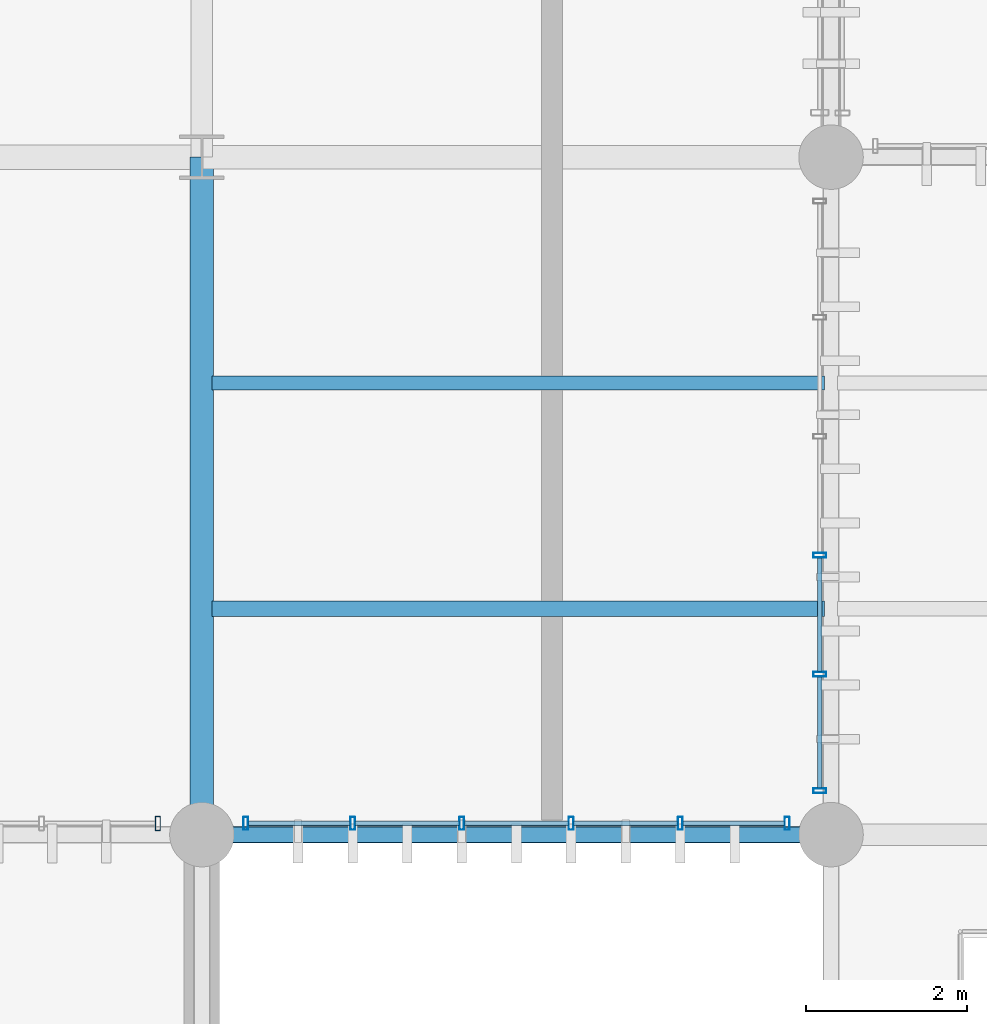
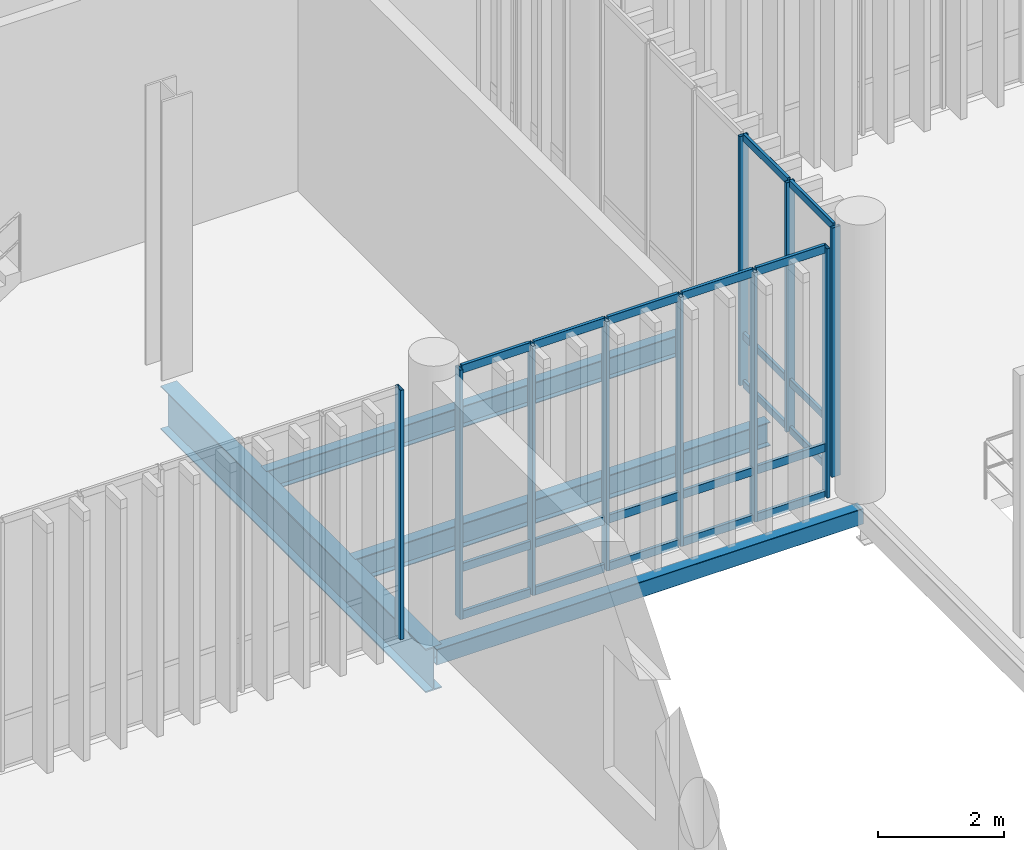
# One storey, part 22 of 128: 31 members, 4 beams, 3 elements without a shape of their own.
"""IFC4 building model written with IfcOpenShell, lengths in metres."""

import ifcopenshell
import ifcopenshell.guid

model = None  # the IFC model being written
_history = None  # IfcOwnerHistory: only IFC2X3 demands one
_inside = {}  # id of a spatial element -> (the spatial element, [elements in it])
_under = {}  # id of a project, library or spatial element -> (it, [spatial elements below it])
_declared = {}  # id of a project -> (the project, [libraries it declares])
_typed = {}  # id of a type object -> (the type object, [elements of that type])
_made_of = {}  # id of a material, layer set ... -> (it, [elements and type objects made of it])


def new_model(schema):
    """Start an empty IFC model of exactly this schema.

    Asked for "IFC4X3", IfcOpenShell would pick the latest addendum, in which some entities
    have other attributes; the version numbers below select the first issue.
    IFC2X3 requires an IfcOwnerHistory on every rooted entity: one is made here for all.
    """
    global model, _history
    if schema == "IFC4X3":
        model = ifcopenshell.file(schema_version=(4, 3, 0, 0))
    else:
        model = ifcopenshell.file(schema=schema)
    _inside.clear()
    _under.clear()
    _declared.clear()
    _typed.clear()
    _made_of.clear()
    _history = None
    if model.schema == "IFC2X3":
        org = make("IfcOrganization", Name="unknown")
        user = make(
            "IfcPersonAndOrganization",
            ThePerson=make("IfcPerson", FamilyName="unknown"),
            TheOrganization=org,
        )
        app = make(
            "IfcApplication",
            ApplicationDeveloper=org,
            Version="unknown",
            ApplicationFullName="unknown",
            ApplicationIdentifier="unknown",
        )
        _history = make(
            "IfcOwnerHistory",
            OwningUser=user,
            OwningApplication=app,
            ChangeAction="ADDED",
            CreationDate=0,
        )
    return model


def make(cls, **values):
    """One entity of the class cls with the attributes given. An attribute that is None is left unset."""
    return model.create_entity(
        cls, **{name: value for name, value in values.items() if value is not None}
    )


def rooted(cls, **values):
    """An entity with a GlobalId (a new one), such as an element, a storey or a relation."""
    return make(cls, GlobalId=ifcopenshell.guid.new(), OwnerHistory=_history, **values)


def si_unit(unit_type, name, prefix=None):
    """IfcSIUnit, for example si_unit("LENGTHUNIT", "METRE", prefix="MILLI")."""
    return make("IfcSIUnit", UnitType=unit_type, Prefix=prefix, Name=name)


def assignment(units):
    """IfcUnitAssignment: the units of a project."""
    return None if units is None else make("IfcUnitAssignment", Units=units)


def point(xyz):
    """IfcCartesianPoint."""
    return None if xyz is None else make("IfcCartesianPoint", Coordinates=xyz)


def direction(xyz):
    """IfcDirection."""
    return None if xyz is None else make("IfcDirection", DirectionRatios=xyz)


def frame(location, z_axis=None, x_axis=None):
    """IfcAxis2Placement3D, a coordinate frame: its origin and axes. An axis left out is left unset."""
    return make(
        "IfcAxis2Placement3D",
        Location=point(location),
        Axis=direction(z_axis),
        RefDirection=direction(x_axis),
    )


def frame_2d(location, x_axis=None):
    """IfcAxis2Placement2D, a coordinate frame in the plane: its origin and x axis."""
    return make(
        "IfcAxis2Placement2D", Location=point(location), RefDirection=direction(x_axis)
    )


def origin_with_axes():
    """The frame at (0, 0, 0) with the z axis (0, 0, 1) and the x axis (1, 0, 0) written out."""
    return frame((0.0, 0.0, 0.0), z_axis=(0.0, 0.0, 1.0), x_axis=(1.0, 0.0, 0.0))


def origin_2d_with_axis():
    """The frame at (0, 0) in the plane with the x axis (1, 0) written out."""
    return frame_2d((0.0, 0.0), x_axis=(1.0, 0.0))


def place(relative_to, where):
    """IfcLocalPlacement: puts the frame where relative to a parent placement (None: the world)."""
    return make(
        "IfcLocalPlacement", PlacementRelTo=relative_to, RelativePlacement=where
    )


def context(
    kind, dimensions, precision=None, world=None, true_north=None, identifier=None
):
    """IfcGeometricRepresentationContext, for example the 3D "Model" context."""
    return make(
        "IfcGeometricRepresentationContext",
        ContextIdentifier=identifier,
        ContextType=kind,
        CoordinateSpaceDimension=dimensions,
        Precision=precision,
        WorldCoordinateSystem=world,
        TrueNorth=true_north,
    )


def subcontext(parent, identifier, kind, view, scale=None):
    """IfcGeometricRepresentationSubContext, for example "Body" below "Model"."""
    return make(
        "IfcGeometricRepresentationSubContext",
        ContextIdentifier=identifier,
        ContextType=kind,
        ParentContext=parent,
        TargetScale=scale,
        TargetView=view,
    )


def project(units=None, contexts=None):
    """IfcProject with its units and contexts."""
    return rooted(
        "IfcProject",
        Name="project",
        RepresentationContexts=contexts,
        UnitsInContext=assignment(units),
    )


def spatial(cls, under=None, at=None, **own):
    """A site, building, storey or space (cls), placed at a placement, below another one or the project."""
    s = rooted(cls, ObjectPlacement=at, **own)
    if under is not None:
        _under.setdefault(under.id(), (under, []))[1].append(s)
    return s


def profile(cls, at=None, kind="AREA", **sizes):
    """A parametric profile (cls). Its sizes go by their IFC names, for example OverallWidth=200.0."""
    return make(cls, ProfileType=kind, Position=at, **sizes)


def hollow_rectangle(**sizes):
    """IfcRectangleHollowProfileDef."""
    return profile("IfcRectangleHollowProfileDef", **sizes)


def i_section(**sizes):
    """IfcIShapeProfileDef."""
    return profile("IfcIShapeProfileDef", **sizes)


def extrude(swept, where, along, depth):
    """IfcExtrudedAreaSolid: the profile swept, set in the frame where, extruded along a direction by depth."""
    return make(
        "IfcExtrudedAreaSolid",
        SweptArea=swept,
        Position=where,
        ExtrudedDirection=direction(along),
        Depth=depth,
    )


def shape(context_of_items, identifier, shape_type, items):
    """IfcShapeRepresentation: the items that make up one representation, for example the "Body"."""
    return make(
        "IfcShapeRepresentation",
        ContextOfItems=context_of_items,
        RepresentationIdentifier=identifier,
        RepresentationType=shape_type,
        Items=items,
    )


def material(Name=None, Category=None):
    """IfcMaterial."""
    return make("IfcMaterial", Name=Name, Category=Category)


def material_profile(
    of_material, cross_section, Name=None, Category=None, Priority=None
):
    """IfcMaterialProfile: a cross section and its material."""
    return make(
        "IfcMaterialProfile",
        Name=Name,
        Material=of_material,
        Profile=cross_section,
        Priority=Priority,
        Category=Category,
    )


def profile_set(profiles, Name=None, composite=None):
    """IfcMaterialProfileSet."""
    return make(
        "IfcMaterialProfileSet",
        Name=Name,
        MaterialProfiles=profiles,
        CompositeProfile=composite,
    )


def made_of(thing, what):
    """Note that an element or type object is made of a material, layer set ...; save() writes the relation."""
    if what is not None:
        _made_of.setdefault(what.id(), (what, []))[1].append(thing)
    return thing


def type_object(cls, material=None, **own):
    """A type object (cls), such as IfcWallType, which elements share."""
    return made_of(rooted(cls, **own), material)


def element(
    cls,
    number,
    at=None,
    inside=None,
    cuts=None,
    type_object=None,
    material=None,
    context=None,
    identifier="Body",
    shape_type=None,
    held_by="IfcProductDefinitionShape",
    body=None,
    shapes=None,
    **own,
):
    """One element of the class cls, such as IfcWall. Its Tag is "e" and its number.

    at: its placement. inside: the storey or other place that contains it. cuts: it is an
    opening in that element (IfcRelVoidsElement). A single representation is given by context,
    identifier, shape_type and body (its items); several are given by shapes. held_by: the class
    of the entity that holds the representations. save() writes the other relations.
    """
    e = rooted(cls, Tag="e%d" % number, ObjectPlacement=at, **own)
    if body is not None:
        shapes = [shape(context, identifier, shape_type, body)]
    if shapes is not None:
        e.Representation = make(held_by, Representations=shapes)
    if inside is not None:
        _inside.setdefault(inside.id(), (inside, []))[1].append(e)
    if cuts is not None:
        rooted(
            "IfcRelVoidsElement", RelatingBuildingElement=cuts, RelatedOpeningElement=e
        )
    if type_object is not None:
        _typed.setdefault(type_object.id(), (type_object, []))[1].append(e)
    return made_of(e, material)


def aggregate(whole, parts):
    """IfcRelAggregates: a whole, such as a stair, and the parts it consists of."""
    return rooted("IfcRelAggregates", RelatingObject=whole, RelatedObjects=parts)


def save(model, path):
    """Write the relations noted so far, then the file.

    IfcRelAggregates (storeys below a building ...), IfcRelContainedInSpatialStructure (elements
    in a storey), IfcRelDefinesByType, IfcRelAssociatesMaterial and IfcRelDeclares: one each for
    every whole, place, type object, material and project.
    """
    for whole, parts in _under.values():
        aggregate(whole, parts)
    for where, things in _inside.values():
        rooted(
            "IfcRelContainedInSpatialStructure",
            RelatedElements=things,
            RelatingStructure=where,
        )
    for kind, things in _typed.values():
        rooted("IfcRelDefinesByType", RelatedObjects=things, RelatingType=kind)
    for what, things in _made_of.values():
        rooted("IfcRelAssociatesMaterial", RelatedObjects=things, RelatingMaterial=what)
    for by, libraries in _declared.values():
        rooted("IfcRelDeclares", RelatingContext=by, RelatedDefinitions=libraries)
    model.write(path)


model = new_model("IFC4")

# Units and contexts
model_context = context("Model", 3, precision=1e-05, world=origin_with_axes(), true_north=direction((0.0, 1.0)))
body_context = subcontext(model_context, "Body", "Model", "MODEL_VIEW")
ifc_project = project(units=[si_unit("LENGTHUNIT", "METRE"), si_unit("AREAUNIT", "SQUARE_METRE"), si_unit("VOLUMEUNIT", "CUBIC_METRE"), si_unit("PLANEANGLEUNIT", "RADIAN"), si_unit("MASSUNIT", "GRAM", prefix="KILO"), si_unit("THERMODYNAMICTEMPERATUREUNIT", "KELVIN")], contexts=[model_context])

# Site, building, storey
site_placement = place(None, origin_with_axes())
site = spatial("IfcSite", under=ifc_project, at=site_placement, CompositionType="ELEMENT")
building_placement = place(site_placement, origin_with_axes())
building = spatial("IfcBuilding", under=site, at=building_placement, Name="Montbau Bow Law Courts", CompositionType="ELEMENT")
storey_placement = place(building_placement, frame((0.0, 0.0, 5.4), z_axis=(0.0, 0.0, 1.0), x_axis=(1.0, 0.0, 0.0)))
storey = spatial("IfcBuildingStorey", under=building, at=storey_placement, Name="L01", CompositionType="ELEMENT", Elevation=5.4)

# Beams
ifc_material_1 = material(Name="Steel CSA G40.21 Grade 350W (350 MPa)", Category="steel")
ifc_material_profile_1 = material_profile(ifc_material_1, i_section(OverallWidth=0.293, OverallDepth=0.846, WebThickness=0.0154, FlangeThickness=0.0244, at=origin_2d_with_axis()), Name="W840X210", Category="Main", Priority=0)
ifc_profile_set_1 = profile_set([ifc_material_profile_1], Name="Steel CSA G40.21 Grade 350W (350 MPa)")
beam_type_1 = type_object("IfcBeamType", Name="B-FLR-02", PredefinedType="BEAM", material=ifc_profile_set_1)
beam_1_placement = place(None, frame((39.0, 30.6, 4.677), z_axis=(0.0, 1.0, 0.0), x_axis=(-1.0, 0.0, 0.0)))
element("IfcBeam", 1, at=beam_1_placement, inside=storey, type_object=beam_type_1, Name="BM-L01-S0544:bm2_0547", PredefinedType="BEAM", context=body_context, shape_type="SweptSolid", body=[
    extrude(i_section(OverallWidth=0.293, OverallDepth=0.846, WebThickness=0.0154, FlangeThickness=0.0244, at=origin_2d_with_axis()), origin_with_axes(), (0.0, 0.0, 1.0), 8.4),
])
ifc_material_profile_2 = material_profile(ifc_material_1, i_section(OverallWidth=0.191, OverallDepth=0.46, WebThickness=0.0099, FlangeThickness=0.016, at=origin_2d_with_axis()), Name="W460X82", Category="Main", Priority=0)
ifc_profile_set_2 = profile_set([ifc_material_profile_2], Name="Steel CSA G40.21 Grade 350W (350 MPa)")
beam_type_2 = type_object("IfcBeamType", Name="B-JST-01", PredefinedType="JOIST", material=ifc_profile_set_2)
beam_2_placement = place(None, frame((39.123, 33.4, 4.87), z_axis=(1.0, 0.0, 0.0), x_axis=(0.0, 1.0, 0.0)))
element("IfcBeam", 2, at=beam_2_placement, inside=storey, type_object=beam_type_2, Name="JST-L01-S0260:jst2_0260", PredefinedType="JOIST", context=body_context, shape_type="SweptSolid", body=[
    extrude(i_section(OverallWidth=0.191, OverallDepth=0.46, WebThickness=0.0099, FlangeThickness=0.016, at=origin_2d_with_axis()), origin_with_axes(), (0.0, 0.0, 1.0), 7.597),
])
ifc_material_profile_3 = material_profile(ifc_material_1, i_section(OverallWidth=0.179, OverallDepth=0.41, WebThickness=0.0088, FlangeThickness=0.0144, at=origin_2d_with_axis()), Name="W410X67", Category="Main", Priority=0)
ifc_profile_set_3 = profile_set([ifc_material_profile_3], Name="Steel CSA G40.21 Grade 350W (350 MPa)")
beam_type_3 = type_object("IfcBeamType", Name="B-JST-02", PredefinedType="JOIST", material=ifc_profile_set_3)
beam_3_placement = place(None, frame((39.123, 36.2, 4.895), z_axis=(1.0, 0.0, 0.0), x_axis=(0.0, 1.0, 0.0)))
element("IfcBeam", 3, at=beam_3_placement, inside=storey, type_object=beam_type_3, Name="JST-L01-S0261:jst2_0261", PredefinedType="JOIST", context=body_context, shape_type="SweptSolid", body=[
    extrude(i_section(OverallWidth=0.179, OverallDepth=0.41, WebThickness=0.0088, FlangeThickness=0.0144, at=origin_2d_with_axis()), origin_with_axes(), (0.0, 0.0, 1.0), 7.597),
])
ifc_material_2 = material(Name="Steel CSA G40.21 Grade 350WT (350 MPa)", Category="steel")
ifc_material_profile_4 = material_profile(ifc_material_2, hollow_rectangle(XDim=0.203, YDim=0.305, WallThickness=0.0127, InnerFilletRadius=0.0254, OuterFilletRadius=0.0127, at=origin_2d_with_axis()), Name="HSS305X203X13", Category="Main", Priority=0)
ifc_profile_set_4 = profile_set([ifc_material_profile_4], Name="Steel CSA G40.21 Grade 350WT (350 MPa)")
beam_type_4 = type_object("IfcBeamType", Name="B-SPN-02", PredefinedType="SPANDREL", material=ifc_profile_set_4)
beam_4_placement = place(None, frame((39.0, 30.6, 4.947), z_axis=(1.0, 0.0, 0.0), x_axis=(0.0, 1.0, 0.0)))
element("IfcBeam", 4, at=beam_4_placement, inside=storey, type_object=beam_type_4, Name="SPN-L01-S0518:bm2_0521", PredefinedType="SPANDREL", context=body_context, shape_type="SweptSolid", body=[
    extrude(hollow_rectangle(XDim=0.203, YDim=0.305, WallThickness=0.0127, InnerFilletRadius=0.0254, OuterFilletRadius=0.0127, at=origin_2d_with_axis()), origin_with_axes(), (0.0, 0.0, 1.0), 7.8),
])

# Curtain wall, member
ifc_material_3 = material(Name="Thermally Broken Extruded Aluminium AA 6063-T6", Category="aluminium")
curtain_wall_type = type_object("IfcCurtainWallType", Name="CW-TRC-01", PredefinedType="NOTDEFINED", material=ifc_material_3)
curtain_wall_1_placement = place(None, frame((31.115, 30.74, 5.4), z_axis=(0.0, 0.0, 1.0), x_axis=(1.0, 0.0, 0.0)))
curtain_wall_1 = element("IfcCurtainWall", 5, at=curtain_wall_1_placement, inside=storey, type_object=curtain_wall_type, Name="CW-L01-019:cw_0019", PredefinedType="NOTDEFINED")
ifc_material_profile_5 = material_profile(ifc_material_3, hollow_rectangle(XDim=0.065, YDim=0.18, WallThickness=0.005, InnerFilletRadius=0.01, OuterFilletRadius=0.005, at=origin_2d_with_axis()), Name="CWM-180X65", Category="Main", Priority=0)
ifc_profile_set_5 = profile_set([ifc_material_profile_5], Name="Thermally Broken Extruded Aluminium AA 6063-T6")
member_type_1 = type_object("IfcMemberType", Name="M-MUL-02", PredefinedType="MULLION", material=ifc_profile_set_5)
member_1_placement = place(None, frame((38.453, 30.74, 5.4), z_axis=(0.0, 0.0, 1.0), x_axis=(1.0, 0.0, 0.0)))
member_1 = element("IfcMember", 6, at=member_1_placement, type_object=member_type_1, Name="CW-L01-019-M06:cw_0019_M06", PredefinedType="MULLION", context=body_context, shape_type="SweptSolid", body=[
    extrude(hollow_rectangle(XDim=0.065, YDim=0.18, WallThickness=0.005, InnerFilletRadius=0.01, OuterFilletRadius=0.005, at=origin_2d_with_axis()), origin_with_axes(), (0.0, 0.0, 1.0), 4.82),
])
aggregate(curtain_wall_1, [member_1])

# Curtain wall, members
curtain_wall_2_placement = place(None, frame((39.515, 30.74, 5.4), z_axis=(0.0, 0.0, 1.0), x_axis=(1.0, 0.0, 0.0)))
curtain_wall_2 = element("IfcCurtainWall", 7, at=curtain_wall_2_placement, inside=storey, type_object=curtain_wall_type, Name="CW-L01-020:cw_0020", PredefinedType="NOTDEFINED")
ifc_material_profile_6 = material_profile(ifc_material_3, hollow_rectangle(XDim=0.06, YDim=0.16, WallThickness=0.004, InnerFilletRadius=0.008, OuterFilletRadius=0.004, at=origin_2d_with_axis()), Name="CWM-160X60", Category="Main", Priority=0)
ifc_profile_set_6 = profile_set([ifc_material_profile_6], Name="Thermally Broken Extruded Aluminium AA 6063-T6")
member_type_2 = type_object("IfcMemberType", Name="M-MUL-03", PredefinedType="MULLION", material=ifc_profile_set_6)
member_2_placement = place(None, frame((39.545, 30.74, 5.4), z_axis=(0.0, 0.0, 1.0), x_axis=(1.0, 0.0, 0.0)))
member_2 = element("IfcMember", 8, at=member_2_placement, type_object=member_type_2, Name="CW-L01-020-M01:cw_0020_M01", PredefinedType="MULLION", context=body_context, shape_type="SweptSolid", body=[
    extrude(hollow_rectangle(XDim=0.06, YDim=0.16, WallThickness=0.004, InnerFilletRadius=0.008, OuterFilletRadius=0.004, at=origin_2d_with_axis()), origin_with_axes(), (0.0, 0.0, 1.0), 4.82),
])
member_3_placement = place(None, frame((40.869, 30.74, 5.4), z_axis=(0.0, 0.0, 1.0), x_axis=(1.0, 0.0, 0.0)))
member_3 = element("IfcMember", 9, at=member_3_placement, type_object=member_type_2, Name="CW-L01-020-M02:cw_0020_M02", PredefinedType="MULLION", context=body_context, shape_type="SweptSolid", body=[
    extrude(hollow_rectangle(XDim=0.06, YDim=0.16, WallThickness=0.004, InnerFilletRadius=0.008, OuterFilletRadius=0.004, at=origin_2d_with_axis()), origin_with_axes(), (0.0, 0.0, 1.0), 4.82),
])
member_4_placement = place(None, frame((42.223, 30.74, 5.4), z_axis=(0.0, 0.0, 1.0), x_axis=(1.0, 0.0, 0.0)))
member_4 = element("IfcMember", 10, at=member_4_placement, type_object=member_type_2, Name="CW-L01-020-M03:cw_0020_M03", PredefinedType="MULLION", context=body_context, shape_type="SweptSolid", body=[
    extrude(hollow_rectangle(XDim=0.06, YDim=0.16, WallThickness=0.004, InnerFilletRadius=0.008, OuterFilletRadius=0.004, at=origin_2d_with_axis()), origin_with_axes(), (0.0, 0.0, 1.0), 4.82),
])
member_5_placement = place(None, frame((43.577, 30.74, 5.4), z_axis=(0.0, 0.0, 1.0), x_axis=(1.0, 0.0, 0.0)))
member_5 = element("IfcMember", 11, at=member_5_placement, type_object=member_type_2, Name="CW-L01-020-M04:cw_0020_M04", PredefinedType="MULLION", context=body_context, shape_type="SweptSolid", body=[
    extrude(hollow_rectangle(XDim=0.06, YDim=0.16, WallThickness=0.004, InnerFilletRadius=0.008, OuterFilletRadius=0.004, at=origin_2d_with_axis()), origin_with_axes(), (0.0, 0.0, 1.0), 4.82),
])
member_6_placement = place(None, frame((44.931, 30.74, 5.4), z_axis=(0.0, 0.0, 1.0), x_axis=(1.0, 0.0, 0.0)))
member_6 = element("IfcMember", 12, at=member_6_placement, type_object=member_type_2, Name="CW-L01-020-M05:cw_0020_M05", PredefinedType="MULLION", context=body_context, shape_type="SweptSolid", body=[
    extrude(hollow_rectangle(XDim=0.06, YDim=0.16, WallThickness=0.004, InnerFilletRadius=0.008, OuterFilletRadius=0.004, at=origin_2d_with_axis()), origin_with_axes(), (0.0, 0.0, 1.0), 4.82),
])
member_7_placement = place(None, frame((46.255, 30.74, 5.4), z_axis=(0.0, 0.0, 1.0), x_axis=(1.0, 0.0, 0.0)))
member_7 = element("IfcMember", 13, at=member_7_placement, type_object=member_type_2, Name="CW-L01-020-M06:cw_0020_M06", PredefinedType="MULLION", context=body_context, shape_type="SweptSolid", body=[
    extrude(hollow_rectangle(XDim=0.06, YDim=0.16, WallThickness=0.004, InnerFilletRadius=0.008, OuterFilletRadius=0.004, at=origin_2d_with_axis()), origin_with_axes(), (0.0, 0.0, 1.0), 4.82),
])

curtain_wall_3_placement = place(None, frame((46.66, 31.115, 5.4), z_axis=(0.0, 0.0, 1.0), x_axis=(1.0, 0.0, 0.0)))
curtain_wall_3 = element("IfcCurtainWall", 14, at=curtain_wall_3_placement, inside=storey, type_object=curtain_wall_type, Name="CW-L01-029:cw_0029", PredefinedType="NOTDEFINED")
member_8_placement = place(None, frame((46.66, 31.145, 5.4), z_axis=(0.0, 0.0, 1.0), x_axis=(0.0, 1.0, 0.0)))
member_8 = element("IfcMember", 15, at=member_8_placement, type_object=member_type_2, Name="CW-L01-029-M01:cw_0029_M01", PredefinedType="MULLION", context=body_context, shape_type="SweptSolid", body=[
    extrude(hollow_rectangle(XDim=0.06, YDim=0.16, WallThickness=0.004, InnerFilletRadius=0.008, OuterFilletRadius=0.004, at=origin_2d_with_axis()), origin_with_axes(), (0.0, 0.0, 1.0), 4.82),
])
member_9_placement = place(None, frame((46.66, 32.589, 5.4), z_axis=(0.0, 0.0, 1.0), x_axis=(0.0, 1.0, 0.0)))
member_9 = element("IfcMember", 16, at=member_9_placement, type_object=member_type_2, Name="CW-L01-029-M02:cw_0029_M02", PredefinedType="MULLION", context=body_context, shape_type="SweptSolid", body=[
    extrude(hollow_rectangle(XDim=0.06, YDim=0.16, WallThickness=0.004, InnerFilletRadius=0.008, OuterFilletRadius=0.004, at=origin_2d_with_axis()), origin_with_axes(), (0.0, 0.0, 1.0), 4.82),
])
member_10_placement = place(None, frame((46.66, 34.063, 5.4), z_axis=(0.0, 0.0, 1.0), x_axis=(0.0, 1.0, 0.0)))
member_10 = element("IfcMember", 17, at=member_10_placement, type_object=member_type_2, Name="CW-L01-029-M03:cw_0029_M03", PredefinedType="MULLION", context=body_context, shape_type="SweptSolid", body=[
    extrude(hollow_rectangle(XDim=0.06, YDim=0.16, WallThickness=0.004, InnerFilletRadius=0.008, OuterFilletRadius=0.004, at=origin_2d_with_axis()), origin_with_axes(), (0.0, 0.0, 1.0), 4.82),
])

# Member
ifc_material_profile_7 = material_profile(ifc_material_3, hollow_rectangle(XDim=0.06, YDim=0.16, WallThickness=0.004, InnerFilletRadius=0.008, OuterFilletRadius=0.004, at=origin_2d_with_axis()), Name="CWT-160X60", Category="Main", Priority=0)
ifc_profile_set_7 = profile_set([ifc_material_profile_7], Name="Thermally Broken Extruded Aluminium AA 6063-T6")
member_type_3 = type_object("IfcMemberType", Name="M-TRN-01", PredefinedType="USERDEFINED", material=ifc_profile_set_7)
member_11_placement = place(None, frame((39.577, 30.74, 5.43), z_axis=(1.0, 0.0, 0.0), x_axis=(0.0, 1.0, 0.0)))
member_11 = element("IfcMember", 18, at=member_11_placement, type_object=member_type_3, Name="CW-L01-020-T01-1:cw_0020_T01_1", ObjectType="TRANSOM", PredefinedType="USERDEFINED", context=body_context, shape_type="SweptSolid", body=[
    extrude(hollow_rectangle(XDim=0.06, YDim=0.16, WallThickness=0.004, InnerFilletRadius=0.008, OuterFilletRadius=0.004, at=origin_2d_with_axis()), origin_with_axes(), (0.0, 0.0, 1.0), 1.26),
])

member_12_placement = place(None, frame((39.577, 30.74, 6.35), z_axis=(1.0, 0.0, 0.0), x_axis=(0.0, 1.0, 0.0)))
member_12 = element("IfcMember", 19, at=member_12_placement, type_object=member_type_3, Name="CW-L01-020-T01-2:cw_0020_T01_2", ObjectType="TRANSOM", PredefinedType="USERDEFINED", context=body_context, shape_type="SweptSolid", body=[
    extrude(hollow_rectangle(XDim=0.06, YDim=0.16, WallThickness=0.004, InnerFilletRadius=0.008, OuterFilletRadius=0.004, at=origin_2d_with_axis()), origin_with_axes(), (0.0, 0.0, 1.0), 1.26),
])

member_13_placement = place(None, frame((39.577, 30.74, 10.19), z_axis=(1.0, 0.0, 0.0), x_axis=(0.0, 1.0, 0.0)))
member_13 = element("IfcMember", 20, at=member_13_placement, type_object=member_type_3, Name="CW-L01-020-T01-3:cw_0020_T01_3", ObjectType="TRANSOM", PredefinedType="USERDEFINED", context=body_context, shape_type="SweptSolid", body=[
    extrude(hollow_rectangle(XDim=0.06, YDim=0.16, WallThickness=0.004, InnerFilletRadius=0.008, OuterFilletRadius=0.004, at=origin_2d_with_axis()), origin_with_axes(), (0.0, 0.0, 1.0), 1.26),
])

member_14_placement = place(None, frame((40.901, 30.74, 5.43), z_axis=(1.0, 0.0, 0.0), x_axis=(0.0, 1.0, 0.0)))
member_14 = element("IfcMember", 21, at=member_14_placement, type_object=member_type_3, Name="CW-L01-020-T02-1:cw_0020_T02_1", ObjectType="TRANSOM", PredefinedType="USERDEFINED", context=body_context, shape_type="SweptSolid", body=[
    extrude(hollow_rectangle(XDim=0.06, YDim=0.16, WallThickness=0.004, InnerFilletRadius=0.008, OuterFilletRadius=0.004, at=origin_2d_with_axis()), origin_with_axes(), (0.0, 0.0, 1.0), 1.29),
])

member_15_placement = place(None, frame((40.901, 30.74, 6.35), z_axis=(1.0, 0.0, 0.0), x_axis=(0.0, 1.0, 0.0)))
member_15 = element("IfcMember", 22, at=member_15_placement, type_object=member_type_3, Name="CW-L01-020-T02-2:cw_0020_T02_2", ObjectType="TRANSOM", PredefinedType="USERDEFINED", context=body_context, shape_type="SweptSolid", body=[
    extrude(hollow_rectangle(XDim=0.06, YDim=0.16, WallThickness=0.004, InnerFilletRadius=0.008, OuterFilletRadius=0.004, at=origin_2d_with_axis()), origin_with_axes(), (0.0, 0.0, 1.0), 1.29),
])

member_16_placement = place(None, frame((40.901, 30.74, 10.19), z_axis=(1.0, 0.0, 0.0), x_axis=(0.0, 1.0, 0.0)))
member_16 = element("IfcMember", 23, at=member_16_placement, type_object=member_type_3, Name="CW-L01-020-T02-3:cw_0020_T02_3", ObjectType="TRANSOM", PredefinedType="USERDEFINED", context=body_context, shape_type="SweptSolid", body=[
    extrude(hollow_rectangle(XDim=0.06, YDim=0.16, WallThickness=0.004, InnerFilletRadius=0.008, OuterFilletRadius=0.004, at=origin_2d_with_axis()), origin_with_axes(), (0.0, 0.0, 1.0), 1.29),
])

member_17_placement = place(None, frame((42.255, 30.74, 5.43), z_axis=(1.0, 0.0, 0.0), x_axis=(0.0, 1.0, 0.0)))
member_17 = element("IfcMember", 24, at=member_17_placement, type_object=member_type_3, Name="CW-L01-020-T03-1:cw_0020_T03_1", ObjectType="TRANSOM", PredefinedType="USERDEFINED", context=body_context, shape_type="SweptSolid", body=[
    extrude(hollow_rectangle(XDim=0.06, YDim=0.16, WallThickness=0.004, InnerFilletRadius=0.008, OuterFilletRadius=0.004, at=origin_2d_with_axis()), origin_with_axes(), (0.0, 0.0, 1.0), 1.29),
])

member_18_placement = place(None, frame((42.255, 30.74, 6.35), z_axis=(1.0, 0.0, 0.0), x_axis=(0.0, 1.0, 0.0)))
member_18 = element("IfcMember", 25, at=member_18_placement, type_object=member_type_3, Name="CW-L01-020-T03-2:cw_0020_T03_2", ObjectType="TRANSOM", PredefinedType="USERDEFINED", context=body_context, shape_type="SweptSolid", body=[
    extrude(hollow_rectangle(XDim=0.06, YDim=0.16, WallThickness=0.004, InnerFilletRadius=0.008, OuterFilletRadius=0.004, at=origin_2d_with_axis()), origin_with_axes(), (0.0, 0.0, 1.0), 1.29),
])

member_19_placement = place(None, frame((42.255, 30.74, 10.19), z_axis=(1.0, 0.0, 0.0), x_axis=(0.0, 1.0, 0.0)))
member_19 = element("IfcMember", 26, at=member_19_placement, type_object=member_type_3, Name="CW-L01-020-T03-3:cw_0020_T03_3", ObjectType="TRANSOM", PredefinedType="USERDEFINED", context=body_context, shape_type="SweptSolid", body=[
    extrude(hollow_rectangle(XDim=0.06, YDim=0.16, WallThickness=0.004, InnerFilletRadius=0.008, OuterFilletRadius=0.004, at=origin_2d_with_axis()), origin_with_axes(), (0.0, 0.0, 1.0), 1.29),
])

member_20_placement = place(None, frame((43.609, 30.74, 5.43), z_axis=(1.0, 0.0, 0.0), x_axis=(0.0, 1.0, 0.0)))
member_20 = element("IfcMember", 27, at=member_20_placement, type_object=member_type_3, Name="CW-L01-020-T04-1:cw_0020_T04_1", ObjectType="TRANSOM", PredefinedType="USERDEFINED", context=body_context, shape_type="SweptSolid", body=[
    extrude(hollow_rectangle(XDim=0.06, YDim=0.16, WallThickness=0.004, InnerFilletRadius=0.008, OuterFilletRadius=0.004, at=origin_2d_with_axis()), origin_with_axes(), (0.0, 0.0, 1.0), 1.29),
])

member_21_placement = place(None, frame((43.609, 30.74, 6.35), z_axis=(1.0, 0.0, 0.0), x_axis=(0.0, 1.0, 0.0)))
member_21 = element("IfcMember", 28, at=member_21_placement, type_object=member_type_3, Name="CW-L01-020-T04-2:cw_0020_T04_2", ObjectType="TRANSOM", PredefinedType="USERDEFINED", context=body_context, shape_type="SweptSolid", body=[
    extrude(hollow_rectangle(XDim=0.06, YDim=0.16, WallThickness=0.004, InnerFilletRadius=0.008, OuterFilletRadius=0.004, at=origin_2d_with_axis()), origin_with_axes(), (0.0, 0.0, 1.0), 1.29),
])

member_22_placement = place(None, frame((43.609, 30.74, 10.19), z_axis=(1.0, 0.0, 0.0), x_axis=(0.0, 1.0, 0.0)))
member_22 = element("IfcMember", 29, at=member_22_placement, type_object=member_type_3, Name="CW-L01-020-T04-3:cw_0020_T04_3", ObjectType="TRANSOM", PredefinedType="USERDEFINED", context=body_context, shape_type="SweptSolid", body=[
    extrude(hollow_rectangle(XDim=0.06, YDim=0.16, WallThickness=0.004, InnerFilletRadius=0.008, OuterFilletRadius=0.004, at=origin_2d_with_axis()), origin_with_axes(), (0.0, 0.0, 1.0), 1.29),
])

member_23_placement = place(None, frame((44.963, 30.74, 5.43), z_axis=(1.0, 0.0, 0.0), x_axis=(0.0, 1.0, 0.0)))
member_23 = element("IfcMember", 30, at=member_23_placement, type_object=member_type_3, Name="CW-L01-020-T05-1:cw_0020_T05_1", ObjectType="TRANSOM", PredefinedType="USERDEFINED", context=body_context, shape_type="SweptSolid", body=[
    extrude(hollow_rectangle(XDim=0.06, YDim=0.16, WallThickness=0.004, InnerFilletRadius=0.008, OuterFilletRadius=0.004, at=origin_2d_with_axis()), origin_with_axes(), (0.0, 0.0, 1.0), 1.26),
])

member_24_placement = place(None, frame((44.963, 30.74, 6.35), z_axis=(1.0, 0.0, 0.0), x_axis=(0.0, 1.0, 0.0)))
member_24 = element("IfcMember", 31, at=member_24_placement, type_object=member_type_3, Name="CW-L01-020-T05-2:cw_0020_T05_2", ObjectType="TRANSOM", PredefinedType="USERDEFINED", context=body_context, shape_type="SweptSolid", body=[
    extrude(hollow_rectangle(XDim=0.06, YDim=0.16, WallThickness=0.004, InnerFilletRadius=0.008, OuterFilletRadius=0.004, at=origin_2d_with_axis()), origin_with_axes(), (0.0, 0.0, 1.0), 1.26),
])

member_25_placement = place(None, frame((44.963, 30.74, 10.19), z_axis=(1.0, 0.0, 0.0), x_axis=(0.0, 1.0, 0.0)))
member_25 = element("IfcMember", 32, at=member_25_placement, type_object=member_type_3, Name="CW-L01-020-T05-3:cw_0020_T05_3", ObjectType="TRANSOM", PredefinedType="USERDEFINED", context=body_context, shape_type="SweptSolid", body=[
    extrude(hollow_rectangle(XDim=0.06, YDim=0.16, WallThickness=0.004, InnerFilletRadius=0.008, OuterFilletRadius=0.004, at=origin_2d_with_axis()), origin_with_axes(), (0.0, 0.0, 1.0), 1.26),
])

aggregate(curtain_wall_2, [member_2, member_3, member_4, member_5, member_6, member_7, member_11, member_12, member_13, member_14, member_15, member_16, member_17, member_18, member_19, member_20, member_21, member_22, member_23, member_24, member_25])

ifc_material_profile_8 = material_profile(ifc_material_3, hollow_rectangle(XDim=0.055, YDim=0.14, WallThickness=0.004, InnerFilletRadius=0.008, OuterFilletRadius=0.004, at=origin_2d_with_axis()), Name="CWT-140X55", Category="Main", Priority=0)
ifc_profile_set_8 = profile_set([ifc_material_profile_8], Name="Thermally Broken Extruded Aluminium AA 6063-T6")
member_type_4 = type_object("IfcMemberType", Name="M-TRN-02", PredefinedType="USERDEFINED", material=ifc_profile_set_8)
member_26_placement = place(None, frame((46.66, 31.177, 5.428), z_axis=(0.0, 1.0, 0.0), x_axis=(-1.0, 0.0, 0.0)))
member_26 = element("IfcMember", 33, at=member_26_placement, type_object=member_type_4, Name="CW-L01-029-T01-1:cw_0029_T01_1", ObjectType="TRANSOM", PredefinedType="USERDEFINED", context=body_context, shape_type="SweptSolid", body=[
    extrude(hollow_rectangle(XDim=0.055, YDim=0.14, WallThickness=0.004, InnerFilletRadius=0.008, OuterFilletRadius=0.004, at=origin_2d_with_axis()), origin_with_axes(), (0.0, 0.0, 1.0), 1.38),
])

member_27_placement = place(None, frame((46.66, 31.177, 6.35), z_axis=(0.0, 1.0, 0.0), x_axis=(-1.0, 0.0, 0.0)))
member_27 = element("IfcMember", 34, at=member_27_placement, type_object=member_type_4, Name="CW-L01-029-T01-2:cw_0029_T01_2", ObjectType="TRANSOM", PredefinedType="USERDEFINED", context=body_context, shape_type="SweptSolid", body=[
    extrude(hollow_rectangle(XDim=0.055, YDim=0.14, WallThickness=0.004, InnerFilletRadius=0.008, OuterFilletRadius=0.004, at=origin_2d_with_axis()), origin_with_axes(), (0.0, 0.0, 1.0), 1.38),
])

member_28_placement = place(None, frame((46.66, 31.177, 10.193), z_axis=(0.0, 1.0, 0.0), x_axis=(-1.0, 0.0, 0.0)))
member_28 = element("IfcMember", 35, at=member_28_placement, type_object=member_type_4, Name="CW-L01-029-T01-3:cw_0029_T01_3", ObjectType="TRANSOM", PredefinedType="USERDEFINED", context=body_context, shape_type="SweptSolid", body=[
    extrude(hollow_rectangle(XDim=0.055, YDim=0.14, WallThickness=0.004, InnerFilletRadius=0.008, OuterFilletRadius=0.004, at=origin_2d_with_axis()), origin_with_axes(), (0.0, 0.0, 1.0), 1.38),
])

member_29_placement = place(None, frame((46.66, 32.621, 5.428), z_axis=(0.0, 1.0, 0.0), x_axis=(-1.0, 0.0, 0.0)))
member_29 = element("IfcMember", 36, at=member_29_placement, type_object=member_type_4, Name="CW-L01-029-T02-1:cw_0029_T02_1", ObjectType="TRANSOM", PredefinedType="USERDEFINED", context=body_context, shape_type="SweptSolid", body=[
    extrude(hollow_rectangle(XDim=0.055, YDim=0.14, WallThickness=0.004, InnerFilletRadius=0.008, OuterFilletRadius=0.004, at=origin_2d_with_axis()), origin_with_axes(), (0.0, 0.0, 1.0), 1.41),
])

member_30_placement = place(None, frame((46.66, 32.621, 6.35), z_axis=(0.0, 1.0, 0.0), x_axis=(-1.0, 0.0, 0.0)))
member_30 = element("IfcMember", 37, at=member_30_placement, type_object=member_type_4, Name="CW-L01-029-T02-2:cw_0029_T02_2", ObjectType="TRANSOM", PredefinedType="USERDEFINED", context=body_context, shape_type="SweptSolid", body=[
    extrude(hollow_rectangle(XDim=0.055, YDim=0.14, WallThickness=0.004, InnerFilletRadius=0.008, OuterFilletRadius=0.004, at=origin_2d_with_axis()), origin_with_axes(), (0.0, 0.0, 1.0), 1.41),
])

member_31_placement = place(None, frame((46.66, 32.621, 10.193), z_axis=(0.0, 1.0, 0.0), x_axis=(-1.0, 0.0, 0.0)))
member_31 = element("IfcMember", 38, at=member_31_placement, type_object=member_type_4, Name="CW-L01-029-T02-3:cw_0029_T02_3", ObjectType="TRANSOM", PredefinedType="USERDEFINED", context=body_context, shape_type="SweptSolid", body=[
    extrude(hollow_rectangle(XDim=0.055, YDim=0.14, WallThickness=0.004, InnerFilletRadius=0.008, OuterFilletRadius=0.004, at=origin_2d_with_axis()), origin_with_axes(), (0.0, 0.0, 1.0), 1.41),
])

aggregate(curtain_wall_3, [member_8, member_9, member_10, member_26, member_27, member_28, member_29, member_30, member_31])

save(model, "model.ifc")
